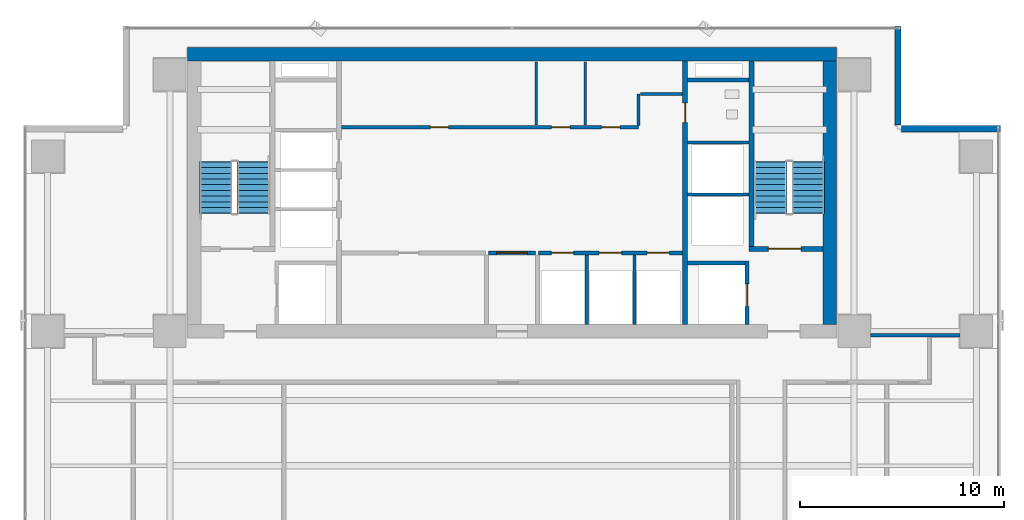
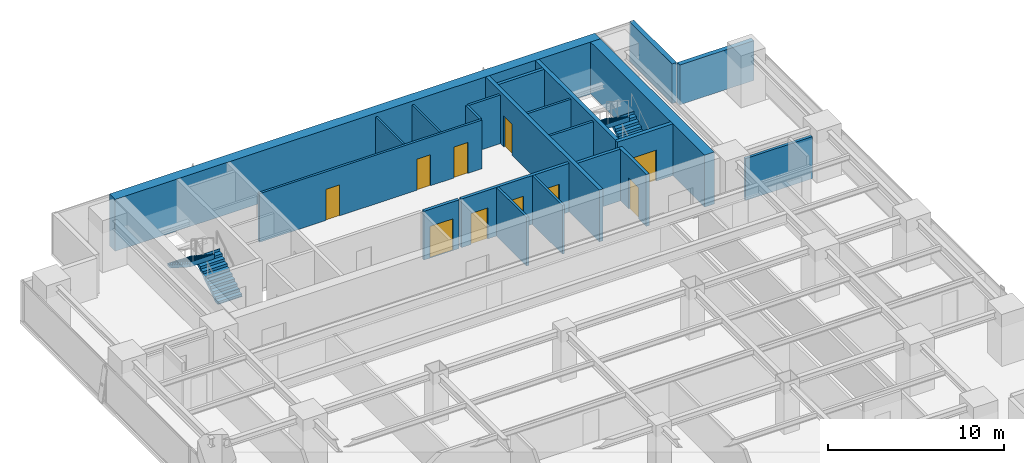
# One storey, part 22 of 28: 22 walls, 10 doors, 4 stair flights, 10 openings, 2 elements without a shape of their own.
"""IFC4 building model written with IfcOpenShell, lengths in metres."""

from ifc_helpers import new_model, si_unit, direction, frame, frame_2d, origin, place, context, subcontext, project, spatial, polyline, rectangle, outline, extrude, source, transform, mapped, material, layer, layer_set, type_object, element, fill, aggregate, save


model = new_model("IFC4")

# Units and contexts
model_context = context("Model", 3, precision=1e-05, world=origin(), true_north=direction((0.0, 1.0)))
body_context = subcontext(model_context, "Body", "Model", "MODEL_VIEW")
ifc_project = project(units=[si_unit("LENGTHUNIT", "METRE"), si_unit("AREAUNIT", "SQUARE_METRE"), si_unit("VOLUMEUNIT", "CUBIC_METRE"), si_unit("PLANEANGLEUNIT", "RADIAN"), si_unit("MASSUNIT", "GRAM", prefix="KILO")], contexts=[model_context])

# Site, building, storey
site_placement = place(None, origin())
site = spatial("IfcSite", under=ifc_project, at=site_placement, CompositionType="ELEMENT")
building_placement = place(site_placement, origin())
building = spatial("IfcBuilding", under=site, at=building_placement, Name="Sumidabori Civic Tower", CompositionType="ELEMENT")
storey_placement = place(building_placement, frame((0.0, 0.0, 167.60009765625)))
storey = spatial("IfcBuildingStorey", under=building, at=storey_placement, Name="L43", CompositionType="ELEMENT", Elevation=167.60009765625)

# Walls
ifc_material_1 = material(Name="Concrete C50/60", Category="concrete")
ifc_layer_1 = layer(ifc_material_1, 0.199951171875, Name="Concrete C50/60")
ifc_layer_set_1 = layer_set([ifc_layer_1], Name="Concrete C50/60")
wall_type_1 = type_object("IfcWallType", Name="WL-SHAFT-200", PredefinedType="SHEAR", material=ifc_layer_set_1)
shared_shape_1 = source(origin(), body_context, "Body", "SweptSolid", [
    extrude(rectangle(XDim=2.824951171875, YDim=0.199951171875, at=frame_2d((1.41259765625, 0.0))), origin(), (0.0, 0.0, 1.0), 3.599853515625),
])
wall_1_placement = place(storey_placement, frame((8.625, 13.550048828125, 0.0), z_axis=(0.0, 0.0, 1.0), x_axis=(1.0, 0.0, 0.0)))
element("IfcWall", 1, at=wall_1_placement, inside=storey, type_object=wall_type_1, Name="Core Shear Wall L43 EL2-N", PredefinedType="SHEAR", context=body_context, shape_type="MappedRepresentation", body=[
    mapped(shared_shape_1, transform((0.0, 0.0, 0.0), x_axis=(1.0, 0.0, 0.0), y_axis=(0.0, 1.0, 0.0), z_axis=(0.0, 0.0, 1.0), scale=1.0)),
])
shared_shape_2 = source(origin(), body_context, "Body", "SweptSolid", [
    extrude(rectangle(XDim=3.02001953125, YDim=0.199951171875, at=frame_2d((1.510009765625, 0.0))), origin(), (0.0, 0.0, 1.0), 3.599853515625),
])
wall_2_placement = place(storey_placement, frame((8.625, 22.550048828125, 0.0), z_axis=(0.0, 0.0, 1.0), x_axis=(1.0, 0.0, 0.0)))
element("IfcWall", 2, at=wall_2_placement, inside=storey, type_object=wall_type_1, Name="Core Shear Wall L43 RIS2-S", PredefinedType="SHEAR", context=body_context, shape_type="MappedRepresentation", body=[
    mapped(shared_shape_2, transform((0.0, 0.0, 0.0), x_axis=(1.0, 0.0, 0.0), y_axis=(0.0, 1.0, 0.0), z_axis=(0.0, 0.0, 1.0), scale=1.0)),
])
ifc_material_2 = material(Name="Concrete C60/75", Category="concrete")
ifc_layer_2 = layer(ifc_material_2, 0.64990234375, Name="Concrete C60/75")
ifc_layer_set_2 = layer_set([ifc_layer_2], Name="Concrete C60/75")
wall_type_2 = type_object("IfcWallType", Name="WL-CORE-650", PredefinedType="SHEAR", material=ifc_layer_set_2)
shared_shape_3 = source(origin(), body_context, "Body", "SweptSolid", [
    extrude(rectangle(XDim=31.85009765625, YDim=0.64990234375, at=frame_2d((15.925048828125, 0.0))), origin(), (0.0, 0.0, 1.0), 3.599853515625),
])
wall_3_placement = place(storey_placement, frame((-15.925048828125, 23.800048828125, 0.0), z_axis=(0.0, 0.0, 1.0), x_axis=(1.0, 0.0, 0.0)))
element("IfcWall", 3, at=wall_3_placement, inside=storey, type_object=wall_type_2, Name="Core Shear Wall L43 N", PredefinedType="SHEAR", context=body_context, shape_type="MappedRepresentation", body=[
    mapped(shared_shape_3, transform((0.0, 0.0, 0.0), x_axis=(1.0, 0.0, 0.0), y_axis=(0.0, 1.0, 0.0), z_axis=(0.0, 0.0, 1.0), scale=1.0)),
])
shared_shape_4 = source(origin(), body_context, "Body", "SweptSolid", [
    extrude(rectangle(XDim=12.9501953125, YDim=0.64990234375, at=frame_2d((6.47509765625, 0.0))), origin(), (0.0, 0.0, 1.0), 3.599853515625),
])
wall_4_placement = place(storey_placement, frame((15.60009765625, 10.52490234375, 0.0), z_axis=(0.0, 0.0, 1.0), x_axis=(0.0, 1.0, 0.0)))
element("IfcWall", 4, at=wall_4_placement, inside=storey, type_object=wall_type_2, Name="Core Shear Wall L43 E", PredefinedType="SHEAR", context=body_context, shape_type="MappedRepresentation", body=[
    mapped(shared_shape_4, transform((0.0, 0.0, 0.0), x_axis=(1.0, 0.0, 0.0), y_axis=(0.0, 1.0, 0.0), z_axis=(0.0, 0.0, 1.0), scale=1.0)),
])

# Wall, opening, door
ifc_layer_3 = layer(ifc_material_1, 0.25, Name="Concrete C50/60")
ifc_layer_set_3 = layer_set([ifc_layer_3], Name="Concrete C50/60")
wall_type_3 = type_object("IfcWallType", Name="WL-SHAFT-250", PredefinedType="SHEAR", material=ifc_layer_set_3)
shared_shape_5 = source(origin(), body_context, "Body", "SweptSolid", [
    extrude(rectangle(XDim=12.9501953125, YDim=0.25, at=frame_2d((6.47509765625, 0.0))), origin(), (0.0, 0.0, 1.0), 3.599853515625),
])
wall_5_placement = place(storey_placement, frame((8.5, 10.52490234375, 0.0), z_axis=(0.0, 0.0, 1.0), x_axis=(0.0, 1.0, 0.0)))
wall_5 = element("IfcWall", 5, at=wall_5_placement, inside=storey, type_object=wall_type_3, Name="Core Shear Wall L43 WEB-E", PredefinedType="SHEAR", context=body_context, shape_type="MappedRepresentation", body=[
    mapped(shared_shape_5, transform((0.0, 0.0, 0.0), x_axis=(1.0, 0.0, 0.0), y_axis=(0.0, 1.0, 0.0), z_axis=(0.0, 0.0, 1.0), scale=1.0)),
])
opening_1_placement = place(wall_5_placement, frame((9.925048828125, 0.0, 0.0)))
opening_1 = element("IfcOpeningElement", 6, at=opening_1_placement, cuts=wall_5, Name="Opening DR-2", PredefinedType="OPENING", context=body_context, shape_type="SweptSolid", body=[
    extrude(rectangle(XDim=0.949951171875, YDim=2.14990234375, at=frame_2d((0.47509765625, 1.074951171875))), frame((0.0, 0.136962890625, 0.0), z_axis=(0.0, -1.0, 0.0), x_axis=(1.0, 0.0, 0.0)), (0.0, 0.0, 1.0), 0.27392578125),
])
ifc_material_3 = material(Name="Japanese Hinoki Timber", Category="wood")
door_type_1 = type_object("IfcDoorType", Name="DR-INT-950", OperationType="NOTDEFINED", PredefinedType="DOOR", material=ifc_material_3)
shared_shape_6 = source(origin(), body_context, "Body", "SweptSolid", [
    extrude(rectangle(XDim=0.949951171875, YDim=2.14990234375, at=frame_2d((0.47509765625, 1.074951171875))), frame((0.0, 0.02490234375, 0.0), z_axis=(0.0, -1.0, 0.0), x_axis=(1.0, 0.0, 0.0)), (0.0, 0.0, 1.0), 0.050048828125),
])
door_1_placement = place(opening_1_placement, origin())
door_1 = element("IfcDoor", 7, at=door_1_placement, inside=storey, type_object=door_type_1, Name="Door DR:L43:WC-ACC", OperationType="SINGLE_SWING_RIGHT", OverallHeight=2.14990234375, OverallWidth=0.949951171875, PredefinedType="DOOR", context=body_context, shape_type="MappedRepresentation", body=[
    mapped(shared_shape_6, transform((0.0, 0.0, 0.0), x_axis=(1.0, 0.0, 0.0), y_axis=(0.0, 1.0, 0.0), z_axis=(0.0, 0.0, 1.0), scale=1.0)),
])
fill(opening_1, door_1)

shared_shape_7 = source(origin(), body_context, "Body", "SweptSolid", [
    extrude(rectangle(XDim=3.6298828125, YDim=0.25, at=frame_2d((1.81494140625, 0.0))), origin(), (0.0, 0.0, 1.0), 3.599853515625),
])
wall_6_placement = place(storey_placement, frame((11.64501953125, 14.25, 0.0), z_axis=(0.0, 0.0, 1.0), x_axis=(1.0, 0.0, 0.0)))
wall_6 = element("IfcWall", 8, at=wall_6_placement, inside=storey, type_object=wall_type_3, Name="Core Shear Wall L43 ST2-S", PredefinedType="SHEAR", context=body_context, shape_type="MappedRepresentation", body=[
    mapped(shared_shape_7, transform((0.0, 0.0, 0.0), x_axis=(1.0, 0.0, 0.0), y_axis=(0.0, 1.0, 0.0), z_axis=(0.0, 0.0, 1.0), scale=1.0)),
])
opening_2_placement = place(wall_6_placement, frame((0.949951171875, 0.0, 0.0)))
opening_2 = element("IfcOpeningElement", 9, at=opening_2_placement, cuts=wall_6, Name="Opening DR-FD4", PredefinedType="OPENING", context=body_context, shape_type="SweptSolid", body=[
    extrude(rectangle(XDim=1.60009765625, YDim=2.14990234375, at=frame_2d((0.800048828125, 1.074951171875))), frame((0.0, 0.136962890625, 0.0), z_axis=(0.0, -1.0, 0.0), x_axis=(1.0, 0.0, 0.0)), (0.0, 0.0, 1.0), 0.27392578125),
])
ifc_material_4 = material(Name="Steel SN490", Category="steel")
door_type_2 = type_object("IfcDoorType", Name="DR-FD4", OperationType="DOUBLE_DOOR_SINGLE_SWING", PredefinedType="DOOR", material=ifc_material_4)
shared_shape_8 = source(origin(), body_context, "Body", "SweptSolid", [
    extrude(rectangle(XDim=1.60009765625, YDim=2.14990234375, at=frame_2d((0.800048828125, 1.074951171875))), frame((0.0, 0.02490234375, 0.0), z_axis=(0.0, -1.0, 0.0), x_axis=(1.0, 0.0, 0.0)), (0.0, 0.0, 1.0), 0.050048828125),
])
door_2_placement = place(opening_2_placement, origin())
door_2 = element("IfcDoor", 10, at=door_2_placement, inside=storey, type_object=door_type_2, Name="Door DR:L43:ST2", OperationType="DOUBLE_DOOR_SINGLE_SWING", OverallHeight=2.14990234375, OverallWidth=1.60009765625, PredefinedType="DOOR", context=body_context, shape_type="MappedRepresentation", body=[
    mapped(shared_shape_8, transform((0.0, 0.0, 0.0), x_axis=(1.0, 0.0, 0.0), y_axis=(0.0, 1.0, 0.0), z_axis=(0.0, 0.0, 1.0), scale=1.0)),
])
fill(opening_2, door_2)

# Wall
shared_shape_9 = source(origin(), body_context, "Body", "SweptSolid", [
    extrude(rectangle(XDim=9.10009765625, YDim=0.25, at=frame_2d((4.550048828125, 0.0))), origin(), (0.0, 0.0, 1.0), 3.599853515625),
])
wall_7_placement = place(storey_placement, frame((11.77001953125, 14.375, 0.0), z_axis=(0.0, 0.0, 1.0), x_axis=(0.0, 1.0, 0.0)))
element("IfcWall", 11, at=wall_7_placement, inside=storey, type_object=wall_type_3, Name="Core Shear Wall L43 ST2-W", PredefinedType="SHEAR", context=body_context, shape_type="MappedRepresentation", body=[
    mapped(shared_shape_9, transform((0.0, 0.0, 0.0), x_axis=(1.0, 0.0, 0.0), y_axis=(0.0, 1.0, 0.0), z_axis=(0.0, 0.0, 1.0), scale=1.0)),
])

# Wall, opening, door
shared_shape_10 = source(origin(), body_context, "Body", "SweptSolid", [
    extrude(rectangle(XDim=3.125, YDim=0.199951171875, at=frame_2d((1.5625, 0.0))), origin(), (0.0, 0.0, 1.0), 3.599853515625),
])
wall_8_placement = place(storey_placement, frame((11.550048828125, 10.52490234375, 0.0), z_axis=(0.0, 0.0, 1.0), x_axis=(0.0, 1.0, 0.0)))
wall_8 = element("IfcWall", 12, at=wall_8_placement, inside=storey, type_object=wall_type_1, Name="Core Shear Wall L43 EL2-E", PredefinedType="SHEAR", context=body_context, shape_type="MappedRepresentation", body=[
    mapped(shared_shape_10, transform((0.0, 0.0, 0.0), x_axis=(1.0, 0.0, 0.0), y_axis=(0.0, 1.0, 0.0), z_axis=(0.0, 0.0, 1.0), scale=1.0)),
])
opening_3_placement = place(wall_8_placement, frame((0.89990234375, 0.0, 0.0)))
opening_3 = element("IfcOpeningElement", 13, at=opening_3_placement, cuts=wall_8, Name="Opening LD-2", PredefinedType="OPENING", context=body_context, shape_type="SweptSolid", body=[
    extrude(rectangle(XDim=1.10009765625, YDim=2.14990234375, at=frame_2d((0.550048828125, 1.074951171875))), frame((0.0, 0.11181640625, 0.0), z_axis=(0.0, -1.0, 0.0), x_axis=(1.0, 0.0, 0.0)), (0.0, 0.0, 1.0), 0.223876953125),
])
ifc_material_5 = material(Name="Stainless Steel Hairline Finish", Category="steel")
door_type_3 = type_object("IfcDoorType", Name="DR-LD2", OperationType="DOUBLE_DOOR_SLIDING", PredefinedType="DOOR", material=ifc_material_5)
shared_shape_11 = source(origin(), body_context, "Body", "SweptSolid", [
    extrude(rectangle(XDim=1.10009765625, YDim=2.14990234375, at=frame_2d((0.550048828125, 1.074951171875))), frame((0.0, 0.02490234375, 0.0), z_axis=(0.0, -1.0, 0.0), x_axis=(1.0, 0.0, 0.0)), (0.0, 0.0, 1.0), 0.050048828125),
])
door_3_placement = place(opening_3_placement, origin())
door_3 = element("IfcDoor", 14, at=door_3_placement, inside=storey, type_object=door_type_3, Name="Door DR:L43:LD-EL2", OperationType="DOUBLE_DOOR_SLIDING", OverallHeight=2.14990234375, OverallWidth=1.10009765625, PredefinedType="DOOR", context=body_context, shape_type="MappedRepresentation", body=[
    mapped(shared_shape_11, transform((0.0, 0.0, 0.0), x_axis=(1.0, 0.0, 0.0), y_axis=(0.0, 1.0, 0.0), z_axis=(0.0, 0.0, 1.0), scale=1.0)),
])
fill(opening_3, door_3)

# Walls
ifc_material_6 = material(Name="Precast concrete C40/50", Category="concrete")
ifc_layer_4 = layer(ifc_material_6, 0.300048828125, Name="Precast concrete C40/50")
ifc_layer_set_4 = layer_set([ifc_layer_4], Name="Precast concrete C40/50")
wall_type_4 = type_object("IfcWallType", Name="WL-EXT-POD300", PredefinedType="STANDARD", material=ifc_layer_set_4)
shared_shape_12 = source(origin(), body_context, "Body", "SweptSolid", [
    extrude(rectangle(XDim=4.85986328125, YDim=0.300048828125, at=frame_2d((2.429931640625, 0.0))), origin(), (0.0, 0.0, 1.0), 2.760009765625),
])
for number, where, z_axis, x_axis, name in (
    (15, (23.97998046875, 20.14990234375, 0.0), (0.0, 0.0, 1.0), (-1.0, 0.0, 0.0), "Notched Corner Spandrel Band L43-05"),
    (16, (18.949951171875, 20.320068359375, 0.0), (0.0, 0.0, 1.0), (0.0, 1.0, 0.0), "Notched Corner Spandrel Band L43-06"),
):
    element("IfcWall", number, at=place(storey_placement, frame(where, z_axis=z_axis, x_axis=x_axis)), inside=storey, type_object=wall_type_4, Name=name, PredefinedType="STANDARD", context=body_context, shape_type="MappedRepresentation", body=[
        mapped(shared_shape_12, transform((0.0, 0.0, 0.0), x_axis=(1.0, 0.0, 0.0), y_axis=(0.0, 1.0, 0.0), z_axis=(0.0, 0.0, 1.0), scale=1.0)),
    ])
ifc_material_7 = material(Name="Gypsum Plasterboard Acoustic Partition")
ifc_layer_5 = layer(ifc_material_7, 0.14990234375, Name="Gypsum Plasterboard Acoustic Partition")
ifc_layer_set_5 = layer_set([ifc_layer_5], Name="Gypsum Plasterboard Acoustic Partition")
wall_type_5 = type_object("IfcWallType", Name="WL-PART-150", PredefinedType="PARTITIONING", material=ifc_layer_set_5)
shared_shape_13 = source(origin(), body_context, "Body", "SweptSolid", [
    extrude(rectangle(XDim=3.010009765625, YDim=0.14990234375, at=frame_2d((1.5048828125, 0.0))), origin(), (0.0, 0.0, 1.0), 3.3798828125),
])
for number, where, z_axis, x_axis, name in (
    (17, (8.6298828125, 16.919921875, 0.0), (0.0, 0.0, 1.0), (1.0, 0.0, 0.0), "Interior Partition WL:L43:DIV-OBS1"),
    (18, (8.6298828125, 19.469970703125, 0.0), (0.0, 0.0, 1.0), (1.0, 0.0, 0.0), "Interior Partition WL:L43:DIV-OBS2"),
):
    element("IfcWall", number, at=place(storey_placement, frame(where, z_axis=z_axis, x_axis=x_axis)), inside=storey, type_object=wall_type_5, Name=name, PredefinedType="PARTITIONING", context=body_context, shape_type="MappedRepresentation", body=[
        mapped(shared_shape_13, transform((0.0, 0.0, 0.0), x_axis=(1.0, 0.0, 0.0), y_axis=(0.0, 1.0, 0.0), z_axis=(0.0, 0.0, 1.0), scale=1.0)),
    ])

# Wall, openings, doors
ifc_material_8 = material(Name="Gypsum Plasterboard Fire Partition")
ifc_layer_6 = layer(ifc_material_8, 0.199951171875, Name="Gypsum Plasterboard Fire Partition")
ifc_layer_set_6 = layer_set([ifc_layer_6], Name="Gypsum Plasterboard Fire Partition")
wall_type_6 = type_object("IfcWallType", Name="WL-PART-FIRE", PredefinedType="PARTITIONING", material=ifc_layer_set_6)
shared_shape_14 = source(origin(), body_context, "Body", "SweptSolid", [
    extrude(rectangle(XDim=7.070068359375, YDim=0.199951171875, at=frame_2d((3.53515625, 0.0))), origin(), (0.0, 0.0, 1.0), 3.3798828125),
])
wall_9_placement = place(storey_placement, frame((1.300048828125, 14.050048828125, 0.0), z_axis=(0.0, 0.0, 1.0), x_axis=(1.0, 0.0, 0.0)))
wall_9 = element("IfcWall", 19, at=wall_9_placement, inside=storey, type_object=wall_type_6, Name="Interior Partition WL:L43:CBAND-SE", PredefinedType="PARTITIONING", context=body_context, shape_type="MappedRepresentation", body=[
    mapped(shared_shape_14, transform((0.0, 0.0, 0.0), x_axis=(1.0, 0.0, 0.0), y_axis=(0.0, 1.0, 0.0), z_axis=(0.0, 0.0, 1.0), scale=1.0)),
])
opening_4_placement = place(wall_9_placement, frame((0.6298828125, 0.0, 0.0)))
opening_4 = element("IfcOpeningElement", 20, at=opening_4_placement, cuts=wall_9, Name="Opening LD-1", PredefinedType="OPENING", context=body_context, shape_type="SweptSolid", body=[
    extrude(rectangle(XDim=1.10009765625, YDim=2.14990234375, at=frame_2d((0.550048828125, 1.074951171875))), frame((0.0, 0.11181640625, 0.0), z_axis=(0.0, -1.0, 0.0), x_axis=(1.0, 0.0, 0.0)), (0.0, 0.0, 1.0), 0.223876953125),
])
opening_5_placement = place(wall_9_placement, frame((2.97998046875, 0.0, 0.0)))
opening_5 = element("IfcOpeningElement", 21, at=opening_5_placement, cuts=wall_9, Name="Opening LD-1", PredefinedType="OPENING", context=body_context, shape_type="SweptSolid", body=[
    extrude(rectangle(XDim=1.10009765625, YDim=2.14990234375, at=frame_2d((0.550048828125, 1.074951171875))), frame((0.0, 0.11181640625, 0.0), z_axis=(0.0, -1.0, 0.0), x_axis=(1.0, 0.0, 0.0)), (0.0, 0.0, 1.0), 0.223876953125),
])
opening_6_placement = place(wall_9_placement, frame((5.330078125, 0.0, 0.0)))
opening_6 = element("IfcOpeningElement", 22, at=opening_6_placement, cuts=wall_9, Name="Opening LD-1", PredefinedType="OPENING", context=body_context, shape_type="SweptSolid", body=[
    extrude(rectangle(XDim=1.10009765625, YDim=2.14990234375, at=frame_2d((0.550048828125, 1.074951171875))), frame((0.0, 0.11181640625, 0.0), z_axis=(0.0, -1.0, 0.0), x_axis=(1.0, 0.0, 0.0)), (0.0, 0.0, 1.0), 0.223876953125),
])
door_type_4 = type_object("IfcDoorType", Name="DR-LD1", OperationType="DOUBLE_DOOR_SLIDING", PredefinedType="DOOR", material=ifc_material_5)
door_4_placement = place(opening_4_placement, origin())
door_4 = element("IfcDoor", 23, at=door_4_placement, inside=storey, type_object=door_type_4, Name="Door DR:L43:LD-PLM1", OperationType="DOUBLE_DOOR_SLIDING", OverallHeight=2.14990234375, OverallWidth=1.10009765625, PredefinedType="DOOR", context=body_context, shape_type="MappedRepresentation", body=[
    mapped(shared_shape_11, transform((0.0, 0.0, 0.0), x_axis=(1.0, 0.0, 0.0), y_axis=(0.0, 1.0, 0.0), z_axis=(0.0, 0.0, 1.0), scale=1.0)),
])
fill(opening_4, door_4)
door_5_placement = place(opening_5_placement, origin())
door_5 = element("IfcDoor", 24, at=door_5_placement, inside=storey, type_object=door_type_4, Name="Door DR:L43:LD-PLM2", OperationType="DOUBLE_DOOR_SLIDING", OverallHeight=2.14990234375, OverallWidth=1.10009765625, PredefinedType="DOOR", context=body_context, shape_type="MappedRepresentation", body=[
    mapped(shared_shape_11, transform((0.0, 0.0, 0.0), x_axis=(1.0, 0.0, 0.0), y_axis=(0.0, 1.0, 0.0), z_axis=(0.0, 0.0, 1.0), scale=1.0)),
])
fill(opening_5, door_5)
door_6_placement = place(opening_6_placement, origin())
door_6 = element("IfcDoor", 25, at=door_6_placement, inside=storey, type_object=door_type_4, Name="Door DR:L43:LD-PLM3", OperationType="DOUBLE_DOOR_SLIDING", OverallHeight=2.14990234375, OverallWidth=1.10009765625, PredefinedType="DOOR", context=body_context, shape_type="MappedRepresentation", body=[
    mapped(shared_shape_11, transform((0.0, 0.0, 0.0), x_axis=(1.0, 0.0, 0.0), y_axis=(0.0, 1.0, 0.0), z_axis=(0.0, 0.0, 1.0), scale=1.0)),
])
fill(opening_6, door_6)

# Wall, opening, door
shared_shape_15 = source(origin(), body_context, "Body", "SweptSolid", [
    extrude(rectangle(XDim=2.2998046875, YDim=0.199951171875, at=frame_2d((1.14990234375, 0.0))), origin(), (0.0, 0.0, 1.0), 3.3798828125),
])
wall_10_placement = place(storey_placement, frame((-1.14990234375, 14.050048828125, 0.0), z_axis=(0.0, 0.0, 1.0), x_axis=(1.0, 0.0, 0.0)))
wall_10 = element("IfcWall", 26, at=wall_10_placement, inside=storey, type_object=wall_type_6, Name="Interior Partition WL:L43:THROAT-N", PredefinedType="PARTITIONING", context=body_context, shape_type="MappedRepresentation", body=[
    mapped(shared_shape_15, transform((0.0, 0.0, 0.0), x_axis=(1.0, 0.0, 0.0), y_axis=(0.0, 1.0, 0.0), z_axis=(0.0, 0.0, 1.0), scale=1.0)),
])
opening_7_placement = place(wall_10_placement, frame((0.39990234375, 0.0, 0.0)))
opening_7 = element("IfcOpeningElement", 27, at=opening_7_placement, cuts=wall_10, Name="Opening DR-FD3", PredefinedType="OPENING", context=body_context, shape_type="SweptSolid", body=[
    extrude(rectangle(XDim=1.5, YDim=2.199951171875, at=frame_2d((0.75, 1.10009765625))), frame((0.0, 0.11181640625, 0.0), z_axis=(0.0, -1.0, 0.0), x_axis=(1.0, 0.0, 0.0)), (0.0, 0.0, 1.0), 0.223876953125),
])
door_type_5 = type_object("IfcDoorType", Name="DR-FD-DBL", OperationType="DOUBLE_DOOR_SINGLE_SWING", PredefinedType="DOOR", material=ifc_material_4)
shared_shape_16 = source(origin(), body_context, "Body", "SweptSolid", [
    extrude(rectangle(XDim=1.5, YDim=2.199951171875, at=frame_2d((0.75, 1.10009765625))), frame((0.0, 0.02490234375, 0.0), z_axis=(0.0, -1.0, 0.0), x_axis=(1.0, 0.0, 0.0)), (0.0, 0.0, 1.0), 0.050048828125),
])
door_7_placement = place(opening_7_placement, origin())
door_7 = element("IfcDoor", 28, at=door_7_placement, inside=storey, type_object=door_type_5, Name="Door DR:L43:THROAT-IN", OperationType="DOUBLE_DOOR_SINGLE_SWING", OverallHeight=2.199951171875, OverallWidth=1.5, PredefinedType="DOOR", context=body_context, shape_type="MappedRepresentation", body=[
    mapped(shared_shape_16, transform((0.0, 0.0, 0.0), x_axis=(1.0, 0.0, 0.0), y_axis=(0.0, 1.0, 0.0), z_axis=(0.0, 0.0, 1.0), scale=1.0)),
])
fill(opening_7, door_7)

# Wall, openings, doors
shared_shape_17 = source(origin(), body_context, "Body", "SweptSolid", [
    extrude(rectangle(XDim=14.590087890625, YDim=0.14990234375, at=frame_2d((7.294921875, 0.0))), origin(), (0.0, 0.0, 1.0), 3.3798828125),
])
wall_11_placement = place(storey_placement, frame((-8.3701171875, 20.219970703125, 0.0), z_axis=(0.0, 0.0, 1.0), x_axis=(1.0, 0.0, 0.0)))
wall_11 = element("IfcWall", 29, at=wall_11_placement, inside=storey, type_object=wall_type_5, Name="Interior Partition WL:L43:CBAND-M", PredefinedType="PARTITIONING", context=body_context, shape_type="MappedRepresentation", body=[
    mapped(shared_shape_17, transform((0.0, 0.0, 0.0), x_axis=(1.0, 0.0, 0.0), y_axis=(0.0, 1.0, 0.0), z_axis=(0.0, 0.0, 1.0), scale=1.0)),
])
opening_8_placement = place(wall_11_placement, frame((4.360107421875, 0.0, 0.0)))
opening_8 = element("IfcOpeningElement", 30, at=opening_8_placement, cuts=wall_11, Name="Opening DR-1", PredefinedType="OPENING", context=body_context, shape_type="SweptSolid", body=[
    extrude(rectangle(XDim=0.89990234375, YDim=2.14990234375, at=frame_2d((0.449951171875, 1.074951171875))), frame((0.0, 0.0869140625, 0.0), z_axis=(0.0, -1.0, 0.0), x_axis=(1.0, 0.0, 0.0)), (0.0, 0.0, 1.0), 0.173828125),
])
opening_9_placement = place(wall_11_placement, frame((10.320068359375, 0.0, 0.0)))
opening_9 = element("IfcOpeningElement", 31, at=opening_9_placement, cuts=wall_11, Name="Opening DR-1", PredefinedType="OPENING", context=body_context, shape_type="SweptSolid", body=[
    extrude(rectangle(XDim=0.89990234375, YDim=2.14990234375, at=frame_2d((0.449951171875, 1.074951171875))), frame((0.0, 0.0869140625, 0.0), z_axis=(0.0, -1.0, 0.0), x_axis=(1.0, 0.0, 0.0)), (0.0, 0.0, 1.0), 0.173828125),
])
opening_10_placement = place(wall_11_placement, frame((12.77001953125, 0.0, 0.0)))
opening_10 = element("IfcOpeningElement", 32, at=opening_10_placement, cuts=wall_11, Name="Opening DR-1", PredefinedType="OPENING", context=body_context, shape_type="SweptSolid", body=[
    extrude(rectangle(XDim=0.89990234375, YDim=2.14990234375, at=frame_2d((0.449951171875, 1.074951171875))), frame((0.0, 0.0869140625, 0.0), z_axis=(0.0, -1.0, 0.0), x_axis=(1.0, 0.0, 0.0)), (0.0, 0.0, 1.0), 0.173828125),
])
door_type_6 = type_object("IfcDoorType", Name="DR-INT-900", OperationType="NOTDEFINED", PredefinedType="DOOR", material=ifc_material_3)
shared_shape_18 = source(origin(), body_context, "Body", "SweptSolid", [
    extrude(rectangle(XDim=0.89990234375, YDim=2.14990234375, at=frame_2d((0.449951171875, 1.074951171875))), frame((0.0, 0.02490234375, 0.0), z_axis=(0.0, -1.0, 0.0), x_axis=(1.0, 0.0, 0.0)), (0.0, 0.0, 1.0), 0.050048828125),
])
door_8_placement = place(opening_8_placement, origin())
door_8 = element("IfcDoor", 33, at=door_8_placement, inside=storey, type_object=door_type_6, Name="Door DR:L43:CB-1", OperationType="SINGLE_SWING_LEFT", OverallHeight=2.14990234375, OverallWidth=0.89990234375, PredefinedType="DOOR", context=body_context, shape_type="MappedRepresentation", body=[
    mapped(shared_shape_18, transform((0.0, 0.0, 0.0), x_axis=(1.0, 0.0, 0.0), y_axis=(0.0, 1.0, 0.0), z_axis=(0.0, 0.0, 1.0), scale=1.0)),
])
fill(opening_8, door_8)
door_9_placement = place(opening_9_placement, origin())
door_9 = element("IfcDoor", 34, at=door_9_placement, inside=storey, type_object=door_type_6, Name="Door DR:L43:CB-2", OperationType="SINGLE_SWING_RIGHT", OverallHeight=2.14990234375, OverallWidth=0.89990234375, PredefinedType="DOOR", context=body_context, shape_type="MappedRepresentation", body=[
    mapped(shared_shape_18, transform((0.0, 0.0, 0.0), x_axis=(1.0, 0.0, 0.0), y_axis=(0.0, 1.0, 0.0), z_axis=(0.0, 0.0, 1.0), scale=1.0)),
])
fill(opening_9, door_9)
door_10_placement = place(opening_10_placement, origin())
door_10 = element("IfcDoor", 35, at=door_10_placement, inside=storey, type_object=door_type_6, Name="Door DR:L43:CB-3", OperationType="SINGLE_SWING_LEFT", OverallHeight=2.14990234375, OverallWidth=0.89990234375, PredefinedType="DOOR", context=body_context, shape_type="MappedRepresentation", body=[
    mapped(shared_shape_18, transform((0.0, 0.0, 0.0), x_axis=(1.0, 0.0, 0.0), y_axis=(0.0, 1.0, 0.0), z_axis=(0.0, 0.0, 1.0), scale=1.0)),
])
fill(opening_10, door_10)

# Walls
shared_shape_19 = source(origin(), body_context, "Body", "SweptSolid", [
    extrude(rectangle(XDim=1.550048828125, YDim=0.14990234375, at=frame_2d((0.77490234375, 0.0))), origin(), (0.0, 0.0, 1.0), 3.3798828125),
])
wall_12_placement = place(storey_placement, frame((6.219970703125, 20.300048828125, 0.0), z_axis=(0.0, 0.0, 1.0), x_axis=(0.0, 1.0, 0.0)))
element("IfcWall", 36, at=wall_12_placement, inside=storey, type_object=wall_type_5, Name="Interior Partition WL:L43:CBAND-ME1", PredefinedType="PARTITIONING", context=body_context, shape_type="MappedRepresentation", body=[
    mapped(shared_shape_19, transform((0.0, 0.0, 0.0), x_axis=(1.0, 0.0, 0.0), y_axis=(0.0, 1.0, 0.0), z_axis=(0.0, 0.0, 1.0), scale=1.0)),
])
shared_shape_20 = source(origin(), body_context, "Body", "SweptSolid", [
    extrude(rectangle(XDim=2.070068359375, YDim=0.14990234375, at=frame_2d((1.03515625, 0.0))), origin(), (0.0, 0.0, 1.0), 3.3798828125),
])
wall_13_placement = place(storey_placement, frame((6.300048828125, 21.85009765625, 0.0), z_axis=(0.0, 0.0, 1.0), x_axis=(1.0, 0.0, 0.0)))
element("IfcWall", 37, at=wall_13_placement, inside=storey, type_object=wall_type_5, Name="Interior Partition WL:L43:CBAND-ME2", PredefinedType="PARTITIONING", context=body_context, shape_type="MappedRepresentation", body=[
    mapped(shared_shape_20, transform((0.0, 0.0, 0.0), x_axis=(1.0, 0.0, 0.0), y_axis=(0.0, 1.0, 0.0), z_axis=(0.0, 0.0, 1.0), scale=1.0)),
])
shared_shape_21 = source(origin(), body_context, "Body", "SweptSolid", [
    extrude(rectangle(XDim=3.4150390625, YDim=0.14990234375, at=frame_2d((1.70751953125, 0.0))), origin(), (0.0, 0.0, 1.0), 3.3798828125),
])
for number, where, z_axis, x_axis, name in (
    (38, (3.669921875, 10.52490234375, 0.0), (0.0, 0.0, 1.0), (0.0, 1.0, 0.0), "Interior Partition WL:L43:DIV-PLM1"),
    (39, (6.02001953125, 10.52490234375, 0.0), (0.0, 0.0, 1.0), (0.0, 1.0, 0.0), "Interior Partition WL:L43:DIV-PLM2"),
):
    element("IfcWall", number, at=place(storey_placement, frame(where, z_axis=z_axis, x_axis=x_axis)), inside=storey, type_object=wall_type_5, Name=name, PredefinedType="PARTITIONING", context=body_context, shape_type="MappedRepresentation", body=[
        mapped(shared_shape_21, transform((0.0, 0.0, 0.0), x_axis=(1.0, 0.0, 0.0), y_axis=(0.0, 1.0, 0.0), z_axis=(0.0, 0.0, 1.0), scale=1.0)),
    ])
ifc_layer_7 = layer(ifc_material_7, 0.1201171875, Name="Gypsum Plasterboard Acoustic Partition")
ifc_layer_set_7 = layer_set([ifc_layer_7], Name="Gypsum Plasterboard Acoustic Partition")
wall_type_7 = type_object("IfcWallType", Name="WL-PART-120", PredefinedType="PARTITIONING", material=ifc_layer_set_7)
shared_shape_22 = source(origin(), body_context, "Body", "SweptSolid", [
    extrude(rectangle(XDim=3.114990234375, YDim=0.1201171875, at=frame_2d((1.5576171875, 0.0))), origin(), (0.0, 0.0, 1.0), 3.3798828125),
])
for number, where, z_axis, x_axis, name in (
    (40, (1.199951171875, 20.320068359375, 0.0), (0.0, 0.0, 1.0), (0.0, 1.0, 0.0), "Interior Partition WL:L43:LV8-S1"),
    (41, (3.60009765625, 20.320068359375, 0.0), (0.0, 0.0, 1.0), (0.0, 1.0, 0.0), "Interior Partition WL:L43:LV8-S2"),
):
    element("IfcWall", number, at=place(storey_placement, frame(where, z_axis=z_axis, x_axis=x_axis)), inside=storey, type_object=wall_type_7, Name=name, PredefinedType="PARTITIONING", context=body_context, shape_type="MappedRepresentation", body=[
        mapped(shared_shape_22, transform((0.0, 0.0, 0.0), x_axis=(1.0, 0.0, 0.0), y_axis=(0.0, 1.0, 0.0), z_axis=(0.0, 0.0, 1.0), scale=1.0)),
    ])
ifc_layer_8 = layer(ifc_material_7, 0.179931640625, Name="Gypsum Plasterboard Acoustic Partition")
ifc_layer_set_8 = layer_set([ifc_layer_8], Name="Gypsum Plasterboard Acoustic Partition")
wall_type_8 = type_object("IfcWallType", Name="WL-PART-180", PredefinedType="PARTITIONING", material=ifc_layer_set_8)
shared_shape_23 = source(origin(), body_context, "Body", "SweptSolid", [
    extrude(rectangle(XDim=4.3798828125, YDim=0.179931640625, at=frame_2d((2.18994140625, 0.0))), origin(), (0.0, 0.0, 1.0), 2.914794921875),
])
wall_14_placement = place(storey_placement, frame((17.610107421875, 10.0, 0.0), z_axis=(0.0, 0.0, 1.0), x_axis=(1.0, 0.0, 0.0)))
element("IfcWall", 42, at=wall_14_placement, inside=storey, type_object=wall_type_8, Name="Interior Partition WL:L43:FLK-NE", PredefinedType="PARTITIONING", context=body_context, shape_type="MappedRepresentation", body=[
    mapped(shared_shape_23, transform((0.0, 0.0, 0.0), x_axis=(1.0, 0.0, 0.0), y_axis=(0.0, 1.0, 0.0), z_axis=(0.0, 0.0, 1.0), scale=1.0)),
])

# Stair, stair flights
ifc_material_9 = material(Name="Concrete C40/50", Category="concrete")
stair_type = type_object("IfcStairType", Name="ST-CORE-1600", PredefinedType="HALF_TURN_STAIR", material=ifc_material_9)
stair_1_placement = place(storey_placement, origin())
stair_1 = element("IfcStair", 43, at=stair_1_placement, inside=storey, type_object=stair_type, Name="L43 ST-1", PredefinedType="HALF_TURN_STAIR")
stair_flight_type = type_object("IfcStairFlightType", Name="SF-CORE-1600", PredefinedType="STRAIGHT", material=ifc_material_9)
shared_shape_24 = source(origin(), body_context, "Body", "SweptSolid", [
    extrude(outline(polyline([(-0.02490234375, 0.0), (-0.02490234375, 0.0400390625), (0.0, 0.0400390625), (0.0, 0.179931640625), (0.280029296875, 0.179931640625), (0.280029296875, 0.360107421875), (0.56005859375, 0.360107421875), (0.56005859375, 0.5400390625), (0.840087890625, 0.5400390625), (0.840087890625, 0.719970703125), (1.1201171875, 0.719970703125), (1.1201171875, 0.89990234375), (1.39990234375, 0.89990234375), (1.39990234375, 1.080078125), (1.679931640625, 1.080078125), (1.679931640625, 1.260009765625), (1.9599609375, 1.260009765625), (1.9599609375, 1.43994140625), (2.239990234375, 1.43994140625), (2.239990234375, 1.6201171875), (2.52001953125, 1.6201171875), (2.52001953125, 1.800048828125), (2.544921875, 1.800048828125), (2.544921875, 1.650146484375), (2.52001953125, 1.44189453125), (0.277099609375, 0.0), (-0.02490234375, 0.0)])), frame((0.0, 0.800048828125, 0.0), z_axis=(0.0, -1.0, 0.0), x_axis=(1.0, 0.0, 0.0)), (0.0, 0.0, 1.0), 1.60009765625),
])
stair_flight_1_placement = place(storey_placement, frame((-12.699951171875, 16.0, 0.0), z_axis=(0.0, 0.0, 1.0), x_axis=(0.0, 1.0, 0.0)))
stair_flight_1 = element("IfcStairFlight", 44, at=stair_flight_1_placement, type_object=stair_flight_type, Name="ST-1 flight 1", NumberOfRisers=10, NumberOfTreads=9, PredefinedType="STRAIGHT", RiserHeight=0.18, TreadLength=0.28, context=body_context, shape_type="MappedRepresentation", body=[
    mapped(shared_shape_24, transform((0.0, 0.0, 0.0), x_axis=(1.0, 0.0, 0.0), y_axis=(0.0, 1.0, 0.0), z_axis=(0.0, 0.0, 1.0), scale=1.0)),
])
stair_flight_2_placement = place(storey_placement, frame((-14.5400390625, 18.52001953125, 1.7998046875), z_axis=(0.0, 0.0, 1.0), x_axis=(0.0, -1.0, 0.0)))
stair_flight_2 = element("IfcStairFlight", 45, at=stair_flight_2_placement, type_object=stair_flight_type, Name="ST-1 flight 2", NumberOfRisers=10, NumberOfTreads=9, PredefinedType="STRAIGHT", RiserHeight=0.18, TreadLength=0.28, context=body_context, shape_type="MappedRepresentation", body=[
    mapped(shared_shape_24, transform((0.0, 0.0, 0.0), x_axis=(1.0, 0.0, 0.0), y_axis=(0.0, 1.0, 0.0), z_axis=(0.0, 0.0, 1.0), scale=1.0)),
])
aggregate(stair_1, [stair_flight_1, stair_flight_2])

stair_2_placement = place(storey_placement, origin())
stair_2 = element("IfcStair", 46, at=stair_2_placement, inside=storey, type_object=stair_type, Name="L43 ST-2", PredefinedType="HALF_TURN_STAIR")
stair_flight_3_placement = place(storey_placement, frame((14.5400390625, 16.0, 0.0), z_axis=(0.0, 0.0, 1.0), x_axis=(0.0, 1.0, 0.0)))
stair_flight_3 = element("IfcStairFlight", 47, at=stair_flight_3_placement, type_object=stair_flight_type, Name="ST-2 flight 1", NumberOfRisers=10, NumberOfTreads=9, PredefinedType="STRAIGHT", RiserHeight=0.18, TreadLength=0.28, context=body_context, shape_type="MappedRepresentation", body=[
    mapped(shared_shape_24, transform((0.0, 0.0, 0.0), x_axis=(1.0, 0.0, 0.0), y_axis=(0.0, 1.0, 0.0), z_axis=(0.0, 0.0, 1.0), scale=1.0)),
])
stair_flight_4_placement = place(storey_placement, frame((12.699951171875, 18.52001953125, 1.7998046875), z_axis=(0.0, 0.0, 1.0), x_axis=(0.0, -1.0, 0.0)))
stair_flight_4 = element("IfcStairFlight", 48, at=stair_flight_4_placement, type_object=stair_flight_type, Name="ST-2 flight 2", NumberOfRisers=10, NumberOfTreads=9, PredefinedType="STRAIGHT", RiserHeight=0.18, TreadLength=0.28, context=body_context, shape_type="MappedRepresentation", body=[
    mapped(shared_shape_24, transform((0.0, 0.0, 0.0), x_axis=(1.0, 0.0, 0.0), y_axis=(0.0, 1.0, 0.0), z_axis=(0.0, 0.0, 1.0), scale=1.0)),
])
aggregate(stair_2, [stair_flight_3, stair_flight_4])

save(model, "model.ifc")
